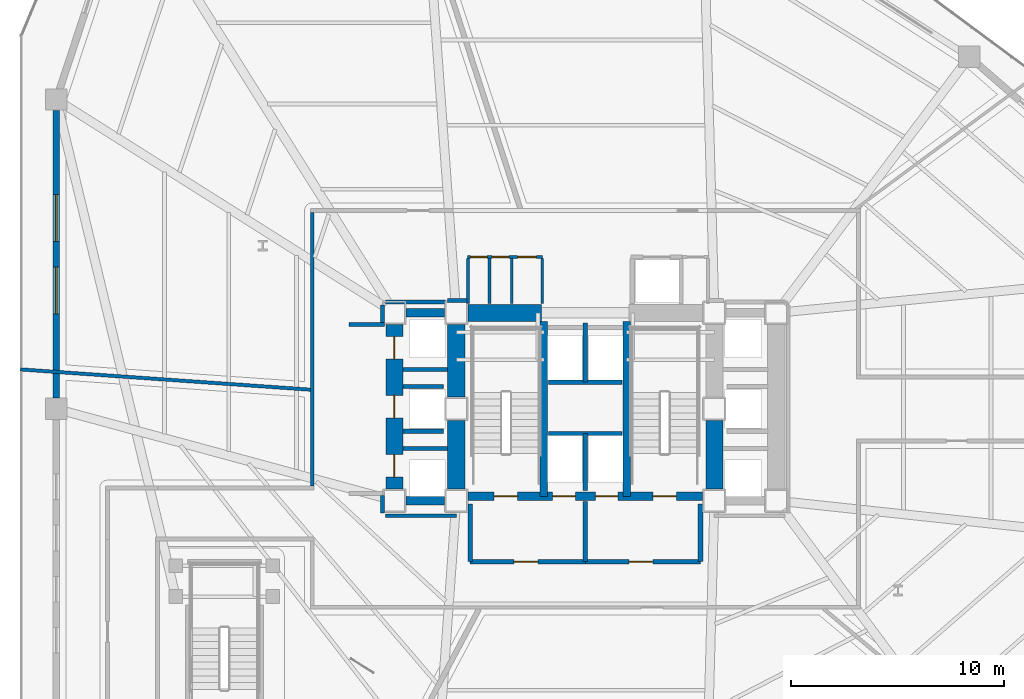
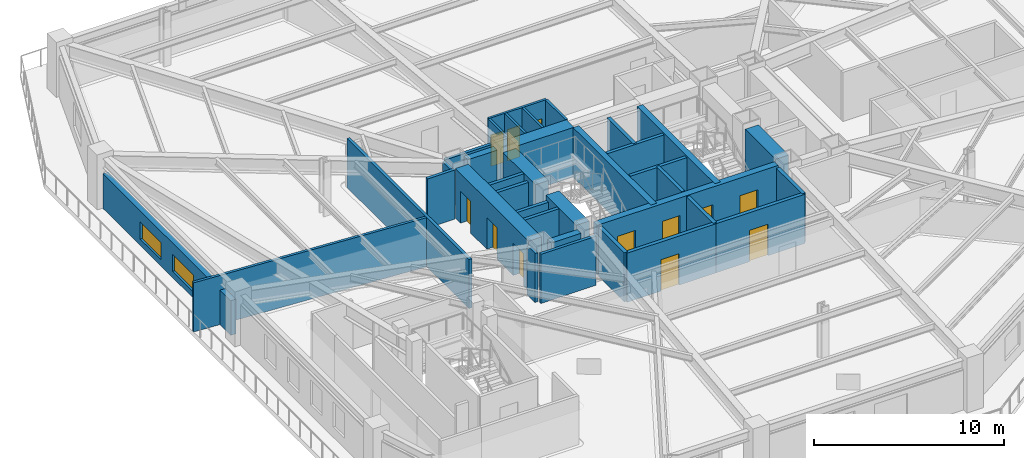
# One storey, part 6 of 12: 37 walls, 12 doors, 2 windows, 14 openings.
"""IFC4 building model written with IfcOpenShell, lengths in metres."""

import ifcopenshell
import ifcopenshell.guid

model = None  # the IFC model being written
_history = None  # IfcOwnerHistory: only IFC2X3 demands one
_inside = {}  # id of a spatial element -> (the spatial element, [elements in it])
_under = {}  # id of a project, library or spatial element -> (it, [spatial elements below it])
_declared = {}  # id of a project -> (the project, [libraries it declares])
_typed = {}  # id of a type object -> (the type object, [elements of that type])
_made_of = {}  # id of a material, layer set ... -> (it, [elements and type objects made of it])


def new_model(schema):
    """Start an empty IFC model of exactly this schema.

    Asked for "IFC4X3", IfcOpenShell would pick the latest addendum, in which some entities
    have other attributes; the version numbers below select the first issue.
    IFC2X3 requires an IfcOwnerHistory on every rooted entity: one is made here for all.
    """
    global model, _history
    if schema == "IFC4X3":
        model = ifcopenshell.file(schema_version=(4, 3, 0, 0))
    else:
        model = ifcopenshell.file(schema=schema)
    _inside.clear()
    _under.clear()
    _declared.clear()
    _typed.clear()
    _made_of.clear()
    _history = None
    if model.schema == "IFC2X3":
        org = make("IfcOrganization", Name="unknown")
        user = make(
            "IfcPersonAndOrganization",
            ThePerson=make("IfcPerson", FamilyName="unknown"),
            TheOrganization=org,
        )
        app = make(
            "IfcApplication",
            ApplicationDeveloper=org,
            Version="unknown",
            ApplicationFullName="unknown",
            ApplicationIdentifier="unknown",
        )
        _history = make(
            "IfcOwnerHistory",
            OwningUser=user,
            OwningApplication=app,
            ChangeAction="ADDED",
            CreationDate=0,
        )
    return model


def make(cls, **values):
    """One entity of the class cls with the attributes given. An attribute that is None is left unset."""
    return model.create_entity(
        cls, **{name: value for name, value in values.items() if value is not None}
    )


def rooted(cls, **values):
    """An entity with a GlobalId (a new one), such as an element, a storey or a relation."""
    return make(cls, GlobalId=ifcopenshell.guid.new(), OwnerHistory=_history, **values)


def si_unit(unit_type, name, prefix=None):
    """IfcSIUnit, for example si_unit("LENGTHUNIT", "METRE", prefix="MILLI")."""
    return make("IfcSIUnit", UnitType=unit_type, Prefix=prefix, Name=name)


def assignment(units):
    """IfcUnitAssignment: the units of a project."""
    return None if units is None else make("IfcUnitAssignment", Units=units)


def point(xyz):
    """IfcCartesianPoint."""
    return None if xyz is None else make("IfcCartesianPoint", Coordinates=xyz)


def direction(xyz):
    """IfcDirection."""
    return None if xyz is None else make("IfcDirection", DirectionRatios=xyz)


def frame(location, z_axis=None, x_axis=None):
    """IfcAxis2Placement3D, a coordinate frame: its origin and axes. An axis left out is left unset."""
    return make(
        "IfcAxis2Placement3D",
        Location=point(location),
        Axis=direction(z_axis),
        RefDirection=direction(x_axis),
    )


def frame_2d(location, x_axis=None):
    """IfcAxis2Placement2D, a coordinate frame in the plane: its origin and x axis."""
    return make(
        "IfcAxis2Placement2D", Location=point(location), RefDirection=direction(x_axis)
    )


def origin():
    """The frame at (0, 0, 0) with its axes left unset."""
    return frame((0.0, 0.0, 0.0))


def place(relative_to, where):
    """IfcLocalPlacement: puts the frame where relative to a parent placement (None: the world)."""
    return make(
        "IfcLocalPlacement", PlacementRelTo=relative_to, RelativePlacement=where
    )


def context(
    kind, dimensions, precision=None, world=None, true_north=None, identifier=None
):
    """IfcGeometricRepresentationContext, for example the 3D "Model" context."""
    return make(
        "IfcGeometricRepresentationContext",
        ContextIdentifier=identifier,
        ContextType=kind,
        CoordinateSpaceDimension=dimensions,
        Precision=precision,
        WorldCoordinateSystem=world,
        TrueNorth=true_north,
    )


def subcontext(parent, identifier, kind, view, scale=None):
    """IfcGeometricRepresentationSubContext, for example "Body" below "Model"."""
    return make(
        "IfcGeometricRepresentationSubContext",
        ContextIdentifier=identifier,
        ContextType=kind,
        ParentContext=parent,
        TargetScale=scale,
        TargetView=view,
    )


def project(units=None, contexts=None):
    """IfcProject with its units and contexts."""
    return rooted(
        "IfcProject",
        Name="project",
        RepresentationContexts=contexts,
        UnitsInContext=assignment(units),
    )


def spatial(cls, under=None, at=None, **own):
    """A site, building, storey or space (cls), placed at a placement, below another one or the project."""
    s = rooted(cls, ObjectPlacement=at, **own)
    if under is not None:
        _under.setdefault(under.id(), (under, []))[1].append(s)
    return s


def profile(cls, at=None, kind="AREA", **sizes):
    """A parametric profile (cls). Its sizes go by their IFC names, for example OverallWidth=200.0."""
    return make(cls, ProfileType=kind, Position=at, **sizes)


def rectangle(**sizes):
    """IfcRectangleProfileDef."""
    return profile("IfcRectangleProfileDef", **sizes)


def extrude(swept, where, along, depth):
    """IfcExtrudedAreaSolid: the profile swept, set in the frame where, extruded along a direction by depth."""
    return make(
        "IfcExtrudedAreaSolid",
        SweptArea=swept,
        Position=where,
        ExtrudedDirection=direction(along),
        Depth=depth,
    )


def shape(context_of_items, identifier, shape_type, items):
    """IfcShapeRepresentation: the items that make up one representation, for example the "Body"."""
    return make(
        "IfcShapeRepresentation",
        ContextOfItems=context_of_items,
        RepresentationIdentifier=identifier,
        RepresentationType=shape_type,
        Items=items,
    )


def material(Name=None, Category=None):
    """IfcMaterial."""
    return make("IfcMaterial", Name=Name, Category=Category)


def layer(
    of_material, thickness, ventilated=None, Name=None, Category=None, Priority=None
):
    """IfcMaterialLayer: one layer of a wall or slab, of a material (None: an air gap)."""
    return make(
        "IfcMaterialLayer",
        Material=of_material,
        LayerThickness=thickness,
        IsVentilated=ventilated,
        Name=Name,
        Category=Category,
        Priority=Priority,
    )


def layer_set(layers, Name=None):
    """IfcMaterialLayerSet."""
    return make("IfcMaterialLayerSet", MaterialLayers=layers, LayerSetName=Name)


def made_of(thing, what):
    """Note that an element or type object is made of a material, layer set ...; save() writes the relation."""
    if what is not None:
        _made_of.setdefault(what.id(), (what, []))[1].append(thing)
    return thing


def type_object(cls, material=None, **own):
    """A type object (cls), such as IfcWallType, which elements share."""
    return made_of(rooted(cls, **own), material)


def element(
    cls,
    number,
    at=None,
    inside=None,
    cuts=None,
    type_object=None,
    material=None,
    context=None,
    identifier="Body",
    shape_type=None,
    held_by="IfcProductDefinitionShape",
    body=None,
    shapes=None,
    **own,
):
    """One element of the class cls, such as IfcWall. Its Tag is "e" and its number.

    at: its placement. inside: the storey or other place that contains it. cuts: it is an
    opening in that element (IfcRelVoidsElement). A single representation is given by context,
    identifier, shape_type and body (its items); several are given by shapes. held_by: the class
    of the entity that holds the representations. save() writes the other relations.
    """
    e = rooted(cls, Tag="e%d" % number, ObjectPlacement=at, **own)
    if body is not None:
        shapes = [shape(context, identifier, shape_type, body)]
    if shapes is not None:
        e.Representation = make(held_by, Representations=shapes)
    if inside is not None:
        _inside.setdefault(inside.id(), (inside, []))[1].append(e)
    if cuts is not None:
        rooted(
            "IfcRelVoidsElement", RelatingBuildingElement=cuts, RelatedOpeningElement=e
        )
    if type_object is not None:
        _typed.setdefault(type_object.id(), (type_object, []))[1].append(e)
    return made_of(e, material)


def fill(opening, filler):
    """IfcRelFillsElement: the door or window that sits in an opening."""
    return rooted(
        "IfcRelFillsElement",
        RelatingOpeningElement=opening,
        RelatedBuildingElement=filler,
    )


def aggregate(whole, parts):
    """IfcRelAggregates: a whole, such as a stair, and the parts it consists of."""
    return rooted("IfcRelAggregates", RelatingObject=whole, RelatedObjects=parts)


def save(model, path):
    """Write the relations noted so far, then the file.

    IfcRelAggregates (storeys below a building ...), IfcRelContainedInSpatialStructure (elements
    in a storey), IfcRelDefinesByType, IfcRelAssociatesMaterial and IfcRelDeclares: one each for
    every whole, place, type object, material and project.
    """
    for whole, parts in _under.values():
        aggregate(whole, parts)
    for where, things in _inside.values():
        rooted(
            "IfcRelContainedInSpatialStructure",
            RelatedElements=things,
            RelatingStructure=where,
        )
    for kind, things in _typed.values():
        rooted("IfcRelDefinesByType", RelatedObjects=things, RelatingType=kind)
    for what, things in _made_of.values():
        rooted("IfcRelAssociatesMaterial", RelatedObjects=things, RelatingMaterial=what)
    for by, libraries in _declared.values():
        rooted("IfcRelDeclares", RelatingContext=by, RelatedDefinitions=libraries)
    model.write(path)


model = new_model("IFC4")

# Units and contexts
model_context = context("Model", 3, precision=1e-05, world=origin(), true_north=direction((0.0, 1.0)))
body_context = subcontext(model_context, "Body", "Model", "MODEL_VIEW")
ifc_project = project(units=[si_unit("LENGTHUNIT", "METRE"), si_unit("AREAUNIT", "SQUARE_METRE"), si_unit("VOLUMEUNIT", "CUBIC_METRE"), si_unit("PLANEANGLEUNIT", "RADIAN"), si_unit("MASSUNIT", "GRAM", prefix="KILO")], contexts=[model_context])

# Site, building, storey
site_placement = place(None, origin())
site = spatial("IfcSite", under=ifc_project, at=site_placement, CompositionType="ELEMENT")
building_placement = place(site_placement, origin())
building = spatial("IfcBuilding", under=site, at=building_placement, Name="Rocaltana Carrier Exchange", CompositionType="ELEMENT")
storey_placement = place(building_placement, frame((0.0, 0.0, 11.840087890625)))
storey = spatial("IfcBuildingStorey", under=building, at=storey_placement, Name="L04", CompositionType="ELEMENT", Elevation=11.840087890625)

# Walls
ifc_material_1 = material(Name="Double Acoustic Gypsum Partition", Category="gypsum")
ifc_layer_1 = layer(ifc_material_1, 0.159912109375)
ifc_layer_set_1 = layer_set([ifc_layer_1], Name="Double Acoustic Gypsum Partition")
wall_type_1 = type_object("IfcWallType", Name="Acoustic Studio Partition 160 EI60", PredefinedType="PARTITIONING", material=ifc_layer_set_1)
wall_1_placement = place(storey_placement, frame((-12.8798828125, 0.900634765625, 0.0), z_axis=(0.0, 0.0, 1.0), x_axis=(-0.99756431173, 0.069752734445, 0.0)))
element("IfcWall", 1, at=wall_1_placement, inside=storey, type_object=wall_type_1, Name="L04 Suite Divider Wall D5", PredefinedType="PARTITIONING", context=body_context, shape_type="SweptSolid", body=[
    extrude(rectangle(XDim=13.643310546875, YDim=0.159912109375, at=frame_2d((6.82177734375, 0.0))), origin(), (0.0, 0.0, 1.0), 3.15283203125),
])
ifc_material_2 = material(Name="Concrete C50/60", Category="concrete")
ifc_layer_2 = layer(ifc_material_2, 0.35009765625)
ifc_layer_set_2 = layer_set([ifc_layer_2], Name="Concrete C50/60")
wall_type_2 = type_object("IfcWallType", Name="Core Internal Shear Wall 350", PredefinedType="SHEAR", material=ifc_layer_set_2)
for number, where, z_axis, x_axis, name in (
    (2, (-1.93994140625, -4.10009765625, 0.0), (0.0, 0.0, 1.0), (0.0, 1.0, 0.0), "L04 Core Shear Wall CW-STW"),
    (3, (1.93994140625, -4.10009765625, 0.0), (0.0, 0.0, 1.0), (0.0, 1.0, 0.0), "L04 Core Shear Wall CW-STE"),
):
    element("IfcWall", number, at=place(storey_placement, frame(where, z_axis=z_axis, x_axis=x_axis)), inside=storey, type_object=wall_type_2, Name=name, PredefinedType="SHEAR", context=body_context, shape_type="SweptSolid", body=[
        extrude(rectangle(XDim=8.2001953125, YDim=0.35009765625, at=frame_2d((4.10009765625, 0.0))), origin(), (0.0, 0.0, 1.0), 3.177978515625),
    ])

# Wall, openings, doors
ifc_material_3 = material(Name="Concrete C50/60", Category="concrete")
ifc_layer_3 = layer(ifc_material_3, 0.39990234375)
ifc_layer_set_3 = layer_set([ifc_layer_3], Name="Concrete C50/60")
wall_type_3 = type_object("IfcWallType", Name="Core Internal Shear Wall 400", PredefinedType="SHEAR", material=ifc_layer_set_3)
wall_2_placement = place(storey_placement, frame((-5.5, -4.10009765625, 0.0), z_axis=(0.0, 0.0, 1.0), x_axis=(1.0, 0.0, 0.0)))
wall_2 = element("IfcWall", 4, at=wall_2_placement, inside=storey, type_object=wall_type_3, Name="L04 Core Shear Wall CW-S", PredefinedType="SHEAR", context=body_context, shape_type="SweptSolid", body=[
    extrude(rectangle(XDim=11.0, YDim=0.39990234375, at=frame_2d((5.5, 0.0))), origin(), (0.0, 0.0, 1.0), 3.177978515625),
])
opening_1_placement = place(wall_2_placement, frame((1.22998046875, 0.0, 0.0)))
opening_1 = element("IfcOpeningElement", 5, at=opening_1_placement, cuts=wall_2, Name="Opening D-ST110", PredefinedType="OPENING", context=body_context, shape_type="SweptSolid", body=[
    extrude(rectangle(XDim=1.10009765625, YDim=2.0400390625, at=frame_2d((0.550048828125, 1.02001953125))), frame((0.0, 0.2099609375, 0.0), z_axis=(0.0, -1.0, 0.0), x_axis=(1.0, 0.0, 0.0)), (0.0, 0.0, 1.0), 0.419921875),
])
opening_2_placement = place(wall_2_placement, frame((8.669921875, 0.0, 0.0)))
opening_2 = element("IfcOpeningElement", 6, at=opening_2_placement, cuts=wall_2, Name="Opening D-ST110", PredefinedType="OPENING", context=body_context, shape_type="SweptSolid", body=[
    extrude(rectangle(XDim=1.10009765625, YDim=2.0400390625, at=frame_2d((0.550048828125, 1.02001953125))), frame((0.0, 0.2099609375, 0.0), z_axis=(0.0, -1.0, 0.0), x_axis=(1.0, 0.0, 0.0)), (0.0, 0.0, 1.0), 0.419921875),
])
opening_3_placement = place(wall_2_placement, frame((3.969970703125, 0.0, 0.0)))
opening_3 = element("IfcOpeningElement", 7, at=opening_3_placement, cuts=wall_2, Name="Opening LD-110", PredefinedType="OPENING", context=body_context, shape_type="SweptSolid", body=[
    extrude(rectangle(XDim=1.06005859375, YDim=2.0400390625, at=frame_2d((0.530029296875, 1.02001953125))), frame((0.0, 0.2099609375, 0.0), z_axis=(0.0, -1.0, 0.0), x_axis=(1.0, 0.0, 0.0)), (0.0, 0.0, 1.0), 0.419921875),
])
opening_4_placement = place(wall_2_placement, frame((5.969970703125, 0.0, 0.0)))
opening_4 = element("IfcOpeningElement", 8, at=opening_4_placement, cuts=wall_2, Name="Opening LD-110", PredefinedType="OPENING", context=body_context, shape_type="SweptSolid", body=[
    extrude(rectangle(XDim=1.06005859375, YDim=2.0400390625, at=frame_2d((0.530029296875, 1.02001953125))), frame((0.0, 0.2099609375, 0.0), z_axis=(0.0, -1.0, 0.0), x_axis=(1.0, 0.0, 0.0)), (0.0, 0.0, 1.0), 0.419921875),
])
ifc_material_4 = material(Name="Hollow Metal Fire Door Assembly", Category="steel")
door_type_1 = type_object("IfcDoorType", Name="Exit Stair Fire Door 1100x2040 FD90S", OperationType="NOTDEFINED", PredefinedType="DOOR", material=ifc_material_4)
door_1_placement = place(opening_1_placement, origin())
door_1 = element("IfcDoor", 9, at=door_1_placement, inside=storey, type_object=door_type_1, Name="L04 Exit Stair ST1 Fire Door", OperationType="SINGLE_SWING_RIGHT", OverallHeight=2.0400390625, OverallWidth=1.10009765625, PredefinedType="DOOR", context=body_context, shape_type="SweptSolid", body=[
    extrude(rectangle(XDim=1.10009765625, YDim=2.0400390625, at=frame_2d((0.550048828125, 1.02001953125))), frame((0.0, 0.02490234375, 0.0), z_axis=(0.0, -1.0, 0.0), x_axis=(1.0, 0.0, 0.0)), (0.0, 0.0, 1.0), 0.050048828125),
])
fill(opening_1, door_1)
door_2_placement = place(opening_2_placement, origin())
door_2 = element("IfcDoor", 10, at=door_2_placement, inside=storey, type_object=door_type_1, Name="L04 Exit Stair ST2 Fire Door", OperationType="SINGLE_SWING_LEFT", OverallHeight=2.0400390625, OverallWidth=1.10009765625, PredefinedType="DOOR", context=body_context, shape_type="SweptSolid", body=[
    extrude(rectangle(XDim=1.10009765625, YDim=2.0400390625, at=frame_2d((0.550048828125, 1.02001953125))), frame((0.0, 0.02490234375, 0.0), z_axis=(0.0, -1.0, 0.0), x_axis=(1.0, 0.0, 0.0)), (0.0, 0.0, 1.0), 0.050048828125),
])
fill(opening_2, door_2)
ifc_material_5 = material(Name="Brushed Stainless Sliding Door Leaf", Category="steel")
door_type_2 = type_object("IfcDoorType", Name="Lift Landing Sliding Door 1060x2040", OperationType="NOTDEFINED", PredefinedType="DOOR", material=ifc_material_5)
door_3_placement = place(opening_3_placement, origin())
door_3 = element("IfcDoor", 11, at=door_3_placement, inside=storey, type_object=door_type_2, Name="L04 Firefighting Lift FFL1 Landing Door", OperationType="SLIDING_TO_LEFT", OverallHeight=2.0400390625, OverallWidth=1.06005859375, PredefinedType="DOOR", context=body_context, shape_type="SweptSolid", body=[
    extrude(rectangle(XDim=1.06005859375, YDim=2.0400390625, at=frame_2d((0.530029296875, 1.02001953125))), frame((0.0, 0.02490234375, 0.0), z_axis=(0.0, -1.0, 0.0), x_axis=(1.0, 0.0, 0.0)), (0.0, 0.0, 1.0), 0.050048828125),
])
fill(opening_3, door_3)
door_4_placement = place(opening_4_placement, origin())
door_4 = element("IfcDoor", 12, at=door_4_placement, inside=storey, type_object=door_type_2, Name="L04 Firefighting Lift FFL2 Landing Door", OperationType="SLIDING_TO_RIGHT", OverallHeight=2.0400390625, OverallWidth=1.06005859375, PredefinedType="DOOR", context=body_context, shape_type="SweptSolid", body=[
    extrude(rectangle(XDim=1.06005859375, YDim=2.0400390625, at=frame_2d((0.530029296875, 1.02001953125))), frame((0.0, 0.02490234375, 0.0), z_axis=(0.0, -1.0, 0.0), x_axis=(1.0, 0.0, 0.0)), (0.0, 0.0, 1.0), 0.050048828125),
])
fill(opening_4, door_4)

# Walls
for number, where, z_axis, x_axis, name in (
    (13, (-8.39990234375, 4.5, 0.0), (0.0, 0.0, 1.0), (1.0, 0.0, 0.0), "L04 Core Shear Wall CW-WWN"),
    (14, (-8.39990234375, -4.300048828125, 0.0), (0.0, 0.0, 1.0), (1.0, 0.0, 0.0), "L04 Core Shear Wall CW-WWS"),
):
    element("IfcWall", number, at=place(storey_placement, frame(where, z_axis=z_axis, x_axis=x_axis)), inside=storey, type_object=wall_type_3, Name=name, PredefinedType="SHEAR", context=body_context, shape_type="SweptSolid", body=[
        extrude(rectangle(XDim=1.7998046875, YDim=0.39990234375, at=frame_2d((0.89990234375, 0.0))), origin(), (0.0, 0.0, 1.0), 3.177978515625),
    ])
ifc_material_6 = material(Name="Concrete C60/75", Category="concrete")
ifc_layer_4 = layer(ifc_material_6, 0.800048828125)
ifc_layer_set_4 = layer_set([ifc_layer_4], Name="Concrete C60/75")
wall_type_4 = type_object("IfcWallType", Name="Core Shear Wall 800", PredefinedType="SHEAR", material=ifc_layer_set_4)
wall_3_placement = place(storey_placement, frame((-6.050048828125, 0.550048828125, 0.0), z_axis=(0.0, 0.0, 1.0), x_axis=(0.0, 1.0, 0.0)))
element("IfcWall", 15, at=wall_3_placement, inside=storey, type_object=wall_type_4, Name="L04 Core Shear Wall CW-WN", PredefinedType="SHEAR", context=body_context, shape_type="SweptSolid", body=[
    extrude(rectangle(XDim=3.39990234375, YDim=0.800048828125, at=frame_2d((1.699951171875, 0.0))), origin(), (0.0, 0.0, 1.0), 3.177978515625),
])
for number, where, z_axis, x_axis, name in (
    (16, (-6.050048828125, -3.75, 0.0), (0.0, 0.0, 1.0), (0.0, 1.0, 0.0), "L04 Core Shear Wall CW-WS"),
    (17, (6.050048828125, -3.75, 0.0), (0.0, 0.0, 1.0), (0.0, 1.0, 0.0), "L04 Core Shear Wall CW-ES"),
):
    element("IfcWall", number, at=place(storey_placement, frame(where, z_axis=z_axis, x_axis=x_axis)), inside=storey, type_object=wall_type_4, Name=name, PredefinedType="SHEAR", context=body_context, shape_type="SweptSolid", body=[
        extrude(rectangle(XDim=3.199951171875, YDim=0.800048828125, at=frame_2d((1.60009765625, 0.0))), origin(), (0.0, 0.0, 1.0), 3.177978515625),
    ])
wall_4_placement = place(storey_placement, frame((-5.5, 4.5, 0.0), z_axis=(0.0, 0.0, 1.0), x_axis=(1.0, 0.0, 0.0)))
element("IfcWall", 18, at=wall_4_placement, inside=storey, type_object=wall_type_4, Name="L04 Core Shear Wall CW-N1", PredefinedType="SHEAR", context=body_context, shape_type="SweptSolid", body=[
    extrude(rectangle(XDim=3.449951171875, YDim=0.800048828125, at=frame_2d((1.72509765625, 0.0))), origin(), (0.0, 0.0, 1.0), 3.177978515625),
])

# Wall, openings, doors
wall_5_placement = place(storey_placement, frame((-8.949951171875, -3.75, 0.0), z_axis=(0.0, 0.0, 1.0), x_axis=(0.0, 1.0, 0.0)))
wall_5 = element("IfcWall", 19, at=wall_5_placement, inside=storey, type_object=wall_type_4, Name="L04 Core Shear Wall CW-WW", PredefinedType="SHEAR", context=body_context, shape_type="SweptSolid", body=[
    extrude(rectangle(XDim=7.699951171875, YDim=0.800048828125, at=frame_2d((3.85009765625, 0.0))), origin(), (0.0, 0.0, 1.0), 3.177978515625),
])
opening_5_placement = place(wall_5_placement, frame((0.550048828125, 0.0, 0.0)))
opening_5 = element("IfcOpeningElement", 20, at=opening_5_placement, cuts=wall_5, Name="Opening LD-110", PredefinedType="OPENING", context=body_context, shape_type="SweptSolid", body=[
    extrude(rectangle(XDim=1.06005859375, YDim=2.0400390625, at=frame_2d((0.530029296875, 1.02001953125))), frame((0.0, 0.409912109375, 0.0), z_axis=(0.0, -1.0, 0.0), x_axis=(1.0, 0.0, 0.0)), (0.0, 0.0, 1.0), 0.820068359375),
])
opening_6_placement = place(wall_5_placement, frame((3.320068359375, 0.0, 0.0)))
opening_6 = element("IfcOpeningElement", 21, at=opening_6_placement, cuts=wall_5, Name="Opening LD-110", PredefinedType="OPENING", context=body_context, shape_type="SweptSolid", body=[
    extrude(rectangle(XDim=1.06005859375, YDim=2.0400390625, at=frame_2d((0.530029296875, 1.02001953125))), frame((0.0, 0.409912109375, 0.0), z_axis=(0.0, -1.0, 0.0), x_axis=(1.0, 0.0, 0.0)), (0.0, 0.0, 1.0), 0.820068359375),
])
opening_7_placement = place(wall_5_placement, frame((6.080078125, 0.0, 0.0)))
opening_7 = element("IfcOpeningElement", 22, at=opening_7_placement, cuts=wall_5, Name="Opening LD-110", PredefinedType="OPENING", context=body_context, shape_type="SweptSolid", body=[
    extrude(rectangle(XDim=1.06005859375, YDim=2.0400390625, at=frame_2d((0.530029296875, 1.02001953125))), frame((0.0, 0.409912109375, 0.0), z_axis=(0.0, -1.0, 0.0), x_axis=(1.0, 0.0, 0.0)), (0.0, 0.0, 1.0), 0.820068359375),
])
door_5_placement = place(opening_5_placement, origin())
door_5 = element("IfcDoor", 23, at=door_5_placement, inside=storey, type_object=door_type_2, Name="L04 Low-Rise Lift PL-L1 Landing Door", OperationType="SLIDING_TO_LEFT", OverallHeight=2.0400390625, OverallWidth=1.06005859375, PredefinedType="DOOR", context=body_context, shape_type="SweptSolid", body=[
    extrude(rectangle(XDim=1.06005859375, YDim=2.0400390625, at=frame_2d((0.530029296875, 1.02001953125))), frame((0.0, 0.02490234375, 0.0), z_axis=(0.0, -1.0, 0.0), x_axis=(1.0, 0.0, 0.0)), (0.0, 0.0, 1.0), 0.050048828125),
])
fill(opening_5, door_5)
door_6_placement = place(opening_6_placement, origin())
door_6 = element("IfcDoor", 24, at=door_6_placement, inside=storey, type_object=door_type_2, Name="L04 Low-Rise Lift PL-L2 Landing Door", OperationType="SLIDING_TO_RIGHT", OverallHeight=2.0400390625, OverallWidth=1.06005859375, PredefinedType="DOOR", context=body_context, shape_type="SweptSolid", body=[
    extrude(rectangle(XDim=1.06005859375, YDim=2.0400390625, at=frame_2d((0.530029296875, 1.02001953125))), frame((0.0, 0.02490234375, 0.0), z_axis=(0.0, -1.0, 0.0), x_axis=(1.0, 0.0, 0.0)), (0.0, 0.0, 1.0), 0.050048828125),
])
fill(opening_6, door_6)
door_7_placement = place(opening_7_placement, origin())
door_7 = element("IfcDoor", 25, at=door_7_placement, inside=storey, type_object=door_type_2, Name="L04 Low-Rise Lift PL-L3 Landing Door", OperationType="SLIDING_TO_LEFT", OverallHeight=2.0400390625, OverallWidth=1.06005859375, PredefinedType="DOOR", context=body_context, shape_type="SweptSolid", body=[
    extrude(rectangle(XDim=1.06005859375, YDim=2.0400390625, at=frame_2d((0.530029296875, 1.02001953125))), frame((0.0, 0.02490234375, 0.0), z_axis=(0.0, -1.0, 0.0), x_axis=(1.0, 0.0, 0.0)), (0.0, 0.0, 1.0), 0.050048828125),
])
fill(opening_7, door_7)

# Walls
ifc_material_7 = material(Name="Gypsum & Steel Stud Partition", Category="steel")
ifc_layer_5 = layer(ifc_material_7, 0.179931640625)
ifc_layer_set_5 = layer_set([ifc_layer_5], Name="Gypsum & Steel Stud Partition")
wall_type_5 = type_object("IfcWallType", Name="Corridor Fire Partition 180 EI60", PredefinedType="PARTITIONING", material=ifc_layer_set_5)
wall_6_placement = place(storey_placement, frame((-12.800048828125, -3.610107421875, 0.0), z_axis=(0.0, 0.0, 1.0), x_axis=(0.0, 1.0, 0.0)))
element("IfcWall", 26, at=wall_6_placement, inside=storey, type_object=wall_type_5, Name="L04 Corridor Partition 7", PredefinedType="PARTITIONING", context=body_context, shape_type="SweptSolid", body=[
    extrude(rectangle(XDim=12.820068359375, YDim=0.179931640625, at=frame_2d((6.41015625, 0.0))), origin(), (0.0, 0.0, 1.0), 3.15283203125),
])
wall_7_placement = place(storey_placement, frame((-9.510009765625, -4.050048828125, 0.0), z_axis=(0.0, 0.0, 1.0), x_axis=(0.0, -1.0, 0.0)))
element("IfcWall", 27, at=wall_7_placement, inside=storey, type_object=wall_type_5, Name="L04 Corridor Partition 22", PredefinedType="PARTITIONING", context=body_context, shape_type="SweptSolid", body=[
    extrude(rectangle(XDim=0.820068359375, YDim=0.179931640625, at=frame_2d((0.41015625, 0.0))), origin(), (0.0, 0.0, 1.0), 3.15283203125),
])
wall_8_placement = place(storey_placement, frame((-9.3701171875, -5.010009765625, 0.0), z_axis=(0.0, 0.0, 1.0), x_axis=(1.0, 0.0, 0.0)))
element("IfcWall", 28, at=wall_8_placement, inside=storey, type_object=wall_type_5, Name="L04 Corridor Partition 23", PredefinedType="PARTITIONING", context=body_context, shape_type="SweptSolid", body=[
    extrude(rectangle(XDim=3.340087890625, YDim=0.179931640625, at=frame_2d((1.669921875, 0.0))), origin(), (0.0, 0.0, 1.0), 3.15283203125),
])
wall_9_placement = place(storey_placement, frame((-5.550048828125, 5.080078125, 0.0), z_axis=(0.0, 0.0, 1.0), x_axis=(-1.0, 0.0, 0.0)))
element("IfcWall", 29, at=wall_9_placement, inside=storey, type_object=wall_type_5, Name="L04 Corridor Partition 32", PredefinedType="PARTITIONING", context=body_context, shape_type="SweptSolid", body=[
    extrude(rectangle(XDim=0.919921875, YDim=0.179931640625, at=frame_2d((0.4599609375, 0.0))), origin(), (0.0, 0.0, 1.0), 3.15283203125),
])
wall_10_placement = place(storey_placement, frame((-6.562255859375, 5.010009765625, 0.0), z_axis=(0.0, 0.0, 1.0), x_axis=(-1.0, 0.0, 0.0)))
element("IfcWall", 30, at=wall_10_placement, inside=storey, type_object=wall_type_5, Name="L04 Corridor Partition 33", PredefinedType="PARTITIONING", context=body_context, shape_type="SweptSolid", body=[
    extrude(rectangle(XDim=2.807861328125, YDim=0.179931640625, at=frame_2d((1.40380859375, 0.0))), origin(), (0.0, 0.0, 1.0), 3.15283203125),
])
wall_11_placement = place(storey_placement, frame((-9.510009765625, 4.8701171875, 0.0), z_axis=(0.0, 0.0, 1.0), x_axis=(0.0, -1.0, 0.0)))
element("IfcWall", 31, at=wall_11_placement, inside=storey, type_object=wall_type_5, Name="L04 Corridor Partition 34", PredefinedType="PARTITIONING", context=body_context, shape_type="SweptSolid", body=[
    extrude(rectangle(XDim=0.820068359375, YDim=0.179931640625, at=frame_2d((0.41015625, 0.0))), origin(), (0.0, 0.0, 1.0), 3.15283203125),
])
wall_12_placement = place(storey_placement, frame((-9.419921875, 3.9599609375, 0.0), z_axis=(0.0, 0.0, 1.0), x_axis=(-1.0, 0.0, 0.0)))
element("IfcWall", 32, at=wall_12_placement, inside=storey, type_object=wall_type_5, Name="L04 Corridor Partition 35", PredefinedType="PARTITIONING", context=body_context, shape_type="SweptSolid", body=[
    extrude(rectangle(XDim=1.650146484375, YDim=0.179931640625, at=frame_2d((0.8251953125, 0.0))), origin(), (0.0, 0.0, 1.0), 3.15283203125),
])
ifc_material_8 = material(Name="Autoclaved Aerated Concrete C30/37", Category="concrete")
ifc_layer_6 = layer(ifc_material_8, 0.219970703125)
ifc_layer_set_6 = layer_set([ifc_layer_6], Name="Autoclaved Aerated Concrete C30/37")
wall_type_6 = type_object("IfcWallType", Name="Firefighting Lobby Wall 220 EI120", PredefinedType="PARTITIONING", material=ifc_layer_set_6)
for number, where, z_axis, x_axis, name in (
    (33, (-5.39990234375, -7.159912109375, 0.0), (0.0, 0.0, 1.0), (0.0, 1.0, 0.0), "L04 FFL Lobby 1 West Wall"),
    (34, (5.39990234375, -7.159912109375, 0.0), (0.0, 0.0, 1.0), (0.0, 1.0, 0.0), "L04 FFL Lobby 2 East Wall"),
):
    element("IfcWall", number, at=place(storey_placement, frame(where, z_axis=z_axis, x_axis=x_axis)), inside=storey, type_object=wall_type_6, Name=name, PredefinedType="PARTITIONING", context=body_context, shape_type="SweptSolid", body=[
        extrude(rectangle(XDim=2.7099609375, YDim=0.219970703125, at=frame_2d((1.35498046875, 0.0))), origin(), (0.0, 0.0, 1.0), 3.15283203125),
    ])
wall_13_placement = place(storey_placement, frame((0.0, -7.159912109375, 0.0), z_axis=(0.0, 0.0, 1.0), x_axis=(0.0, 1.0, 0.0)))
element("IfcWall", 35, at=wall_13_placement, inside=storey, type_object=wall_type_6, Name="L04 FFL Lobby Centre Wall", PredefinedType="PARTITIONING", context=body_context, shape_type="SweptSolid", body=[
    extrude(rectangle(XDim=2.809814453125, YDim=0.219970703125, at=frame_2d((1.40478515625, 0.0))), origin(), (0.0, 0.0, 1.0), 3.15283203125),
])

# Wall, opening, door
wall_14_placement = place(storey_placement, frame((-5.39990234375, -7.159912109375, 0.0), z_axis=(0.0, 0.0, 1.0), x_axis=(1.0, 0.0, 0.0)))
wall_14 = element("IfcWall", 36, at=wall_14_placement, inside=storey, type_object=wall_type_6, Name="L04 FFL Lobby 1 South Wall", PredefinedType="PARTITIONING", context=body_context, shape_type="SweptSolid", body=[
    extrude(rectangle(XDim=5.39990234375, YDim=0.219970703125, at=frame_2d((2.699951171875, 0.0))), origin(), (0.0, 0.0, 1.0), 3.15283203125),
])
opening_8_placement = place(wall_14_placement, frame((2.050048828125, 0.0, 0.0)))
opening_8 = element("IfcOpeningElement", 37, at=opening_8_placement, cuts=wall_14, Name="Opening D-FF115", PredefinedType="OPENING", context=body_context, shape_type="SweptSolid", body=[
    extrude(rectangle(XDim=1.1201171875, YDim=2.02001953125, at=frame_2d((0.56005859375, 1.010009765625))), frame((0.0, 0.119873046875, 0.0), z_axis=(0.0, -1.0, 0.0), x_axis=(1.0, 0.0, 0.0)), (0.0, 0.0, 1.0), 0.239990234375),
])
ifc_material_9 = material(Name="Hollow Metal Fire Door Assembly", Category="steel")
door_type_3 = type_object("IfcDoorType", Name="Firefighting Lobby Door 1120x2020 FD60S", OperationType="NOTDEFINED", PredefinedType="DOOR", material=ifc_material_9)
door_8_placement = place(opening_8_placement, origin())
door_8 = element("IfcDoor", 38, at=door_8_placement, inside=storey, type_object=door_type_3, Name="L04 Firefighting Lift Lobby 1 Door", OperationType="SINGLE_SWING_RIGHT", OverallHeight=2.02001953125, OverallWidth=1.1201171875, PredefinedType="DOOR", context=body_context, shape_type="SweptSolid", body=[
    extrude(rectangle(XDim=1.1201171875, YDim=2.02001953125, at=frame_2d((0.56005859375, 1.010009765625))), frame((0.0, 0.02490234375, 0.0), z_axis=(0.0, -1.0, 0.0), x_axis=(1.0, 0.0, 0.0)), (0.0, 0.0, 1.0), 0.050048828125),
])
fill(opening_8, door_8)

wall_15_placement = place(storey_placement, frame((0.0, -7.159912109375, 0.0), z_axis=(0.0, 0.0, 1.0), x_axis=(1.0, 0.0, 0.0)))
wall_15 = element("IfcWall", 39, at=wall_15_placement, inside=storey, type_object=wall_type_6, Name="L04 FFL Lobby 2 South Wall", PredefinedType="PARTITIONING", context=body_context, shape_type="SweptSolid", body=[
    extrude(rectangle(XDim=5.39990234375, YDim=0.219970703125, at=frame_2d((2.699951171875, 0.0))), origin(), (0.0, 0.0, 1.0), 3.15283203125),
])
opening_9_placement = place(wall_15_placement, frame((2.050048828125, 0.0, 0.0)))
opening_9 = element("IfcOpeningElement", 40, at=opening_9_placement, cuts=wall_15, Name="Opening D-FF115", PredefinedType="OPENING", context=body_context, shape_type="SweptSolid", body=[
    extrude(rectangle(XDim=1.1201171875, YDim=2.02001953125, at=frame_2d((0.56005859375, 1.010009765625))), frame((0.0, 0.119873046875, 0.0), z_axis=(0.0, -1.0, 0.0), x_axis=(1.0, 0.0, 0.0)), (0.0, 0.0, 1.0), 0.239990234375),
])
door_9_placement = place(opening_9_placement, origin())
door_9 = element("IfcDoor", 41, at=door_9_placement, inside=storey, type_object=door_type_3, Name="L04 Firefighting Lift Lobby 2 Door", OperationType="SINGLE_SWING_LEFT", OverallHeight=2.02001953125, OverallWidth=1.1201171875, PredefinedType="DOOR", context=body_context, shape_type="SweptSolid", body=[
    extrude(rectangle(XDim=1.1201171875, YDim=2.02001953125, at=frame_2d((0.56005859375, 1.010009765625))), frame((0.0, 0.02490234375, 0.0), z_axis=(0.0, -1.0, 0.0), x_axis=(1.0, 0.0, 0.0)), (0.0, 0.0, 1.0), 0.050048828125),
])
fill(opening_9, door_9)

# Walls
ifc_material_10 = material(Name="Reinforced Concrete Block C35/45", Category="concrete")
ifc_layer_7 = layer(ifc_material_10, 0.199951171875)
ifc_layer_set_7 = layer_set([ifc_layer_7], Name="Reinforced Concrete Block C35/45")
wall_type_7 = type_object("IfcWallType", Name="Lift Hoistway Enclosure Wall 200 EI120", PredefinedType="PARTITIONING", material=ifc_layer_set_7)
wall_16_placement = place(storey_placement, frame((0.0, -3.820068359375, 0.0), z_axis=(0.0, 0.0, 1.0), x_axis=(0.0, 1.0, 0.0)))
element("IfcWall", 42, at=wall_16_placement, inside=storey, type_object=wall_type_7, Name="L04 FFL Shaft Divider", PredefinedType="PARTITIONING", context=body_context, shape_type="SweptSolid", body=[
    extrude(rectangle(XDim=2.670166015625, YDim=0.199951171875, at=frame_2d((1.3349609375, 0.0))), origin(), (0.0, 0.0, 1.0), 3.15283203125),
])
wall_17_placement = place(storey_placement, frame((-1.719970703125, -1.14990234375, 0.0), z_axis=(0.0, 0.0, 1.0), x_axis=(1.0, 0.0, 0.0)))
element("IfcWall", 43, at=wall_17_placement, inside=storey, type_object=wall_type_7, Name="L04 FFL Shaft Back Wall", PredefinedType="PARTITIONING", context=body_context, shape_type="SweptSolid", body=[
    extrude(rectangle(XDim=3.43994140625, YDim=0.199951171875, at=frame_2d((1.719970703125, 0.0))), origin(), (0.0, 0.0, 1.0), 3.15283203125),
])
wall_18_placement = place(storey_placement, frame((0.0, 1.25, 0.0), z_axis=(0.0, 0.0, 1.0), x_axis=(0.0, 1.0, 0.0)))
element("IfcWall", 44, at=wall_18_placement, inside=storey, type_object=wall_type_7, Name="L04 High-Rise Shaft Divider", PredefinedType="PARTITIONING", context=body_context, shape_type="SweptSolid", body=[
    extrude(rectangle(XDim=2.77001953125, YDim=0.199951171875, at=frame_2d((1.385009765625, 0.0))), origin(), (0.0, 0.0, 1.0), 3.15283203125),
])
wall_19_placement = place(storey_placement, frame((-1.719970703125, 1.25, 0.0), z_axis=(0.0, 0.0, 1.0), x_axis=(1.0, 0.0, 0.0)))
element("IfcWall", 45, at=wall_19_placement, inside=storey, type_object=wall_type_7, Name="L04 High-Rise Shaft Back Wall", PredefinedType="PARTITIONING", context=body_context, shape_type="SweptSolid", body=[
    extrude(rectangle(XDim=3.43994140625, YDim=0.199951171875, at=frame_2d((1.719970703125, 0.0))), origin(), (0.0, 0.0, 1.0), 3.15283203125),
])
for number, where, z_axis, x_axis, name in (
    (46, (-8.550048828125, -1.85009765625, 0.0), (0.0, 0.0, 1.0), (1.0, 0.0, 0.0), "L04 Low-Rise Shaft Divider 1"),
    (47, (-8.550048828125, 1.85009765625, 0.0), (0.0, 0.0, 1.0), (1.0, 0.0, 0.0), "L04 Low-Rise Shaft Divider 2"),
):
    element("IfcWall", number, at=place(storey_placement, frame(where, z_axis=z_axis, x_axis=x_axis)), inside=storey, type_object=wall_type_7, Name=name, PredefinedType="PARTITIONING", context=body_context, shape_type="SweptSolid", body=[
        extrude(rectangle(XDim=2.10009765625, YDim=0.199951171875, at=frame_2d((1.050048828125, 0.0))), origin(), (0.0, 0.0, 1.0), 3.15283203125),
    ])
for number, where, z_axis, x_axis, name in (
    (48, (-8.550048828125, -1.050048828125, 0.0), (0.0, 0.0, 1.0), (1.0, 0.0, 0.0), "L04 Low-Rise Center Shaft Wall South"),
    (49, (-8.550048828125, 1.050048828125, 0.0), (0.0, 0.0, 1.0), (1.0, 0.0, 0.0), "L04 Low-Rise Center Shaft Wall North"),
):
    element("IfcWall", number, at=place(storey_placement, frame(where, z_axis=z_axis, x_axis=x_axis)), inside=storey, type_object=wall_type_7, Name=name, PredefinedType="PARTITIONING", context=body_context, shape_type="SweptSolid", body=[
        extrude(rectangle(XDim=1.91015625, YDim=0.199951171875, at=frame_2d((0.955078125, 0.0))), origin(), (0.0, 0.0, 1.0), 3.15283203125),
    ])

# Wall, openings, windows
ifc_material_11 = material(Name="Precast sandstone concrete C45/55", Category="masonry")
ifc_layer_8 = layer(ifc_material_11, 0.320068359375)
ifc_layer_set_8 = layer_set([ifc_layer_8], Name="Precast sandstone concrete C45/55")
wall_type_8 = type_object("IfcWallType", Name="Precast Sandstone Facade Wall 320", PredefinedType="SOLIDWALL", material=ifc_layer_set_8)
wall_20_placement = place(storey_placement, frame((-24.800048828125, 0.52001953125, 0.0), z_axis=(0.0, 0.0, 1.0), x_axis=(0.0, 1.0, 0.0)))
wall_20 = element("IfcWall", 50, at=wall_20_placement, inside=storey, type_object=wall_type_8, Name="L04 Sandstone Facade Wall B11", PredefinedType="SOLIDWALL", context=body_context, shape_type="SweptSolid", body=[
    extrude(rectangle(XDim=13.4599609375, YDim=0.320068359375, at=frame_2d((6.72998046875, 0.0))), origin(), (0.0, 0.0, 1.0), 2.220947265625),
])
opening_10_placement = place(wall_20_placement, frame((3.929931640625, 0.0, 0.39990234375)))
opening_10 = element("IfcOpeningElement", 51, at=opening_10_placement, cuts=wall_20, Name="Opening W-04", PredefinedType="OPENING", context=body_context, shape_type="SweptSolid", body=[
    extrude(rectangle(XDim=2.199951171875, YDim=1.10009765625, at=frame_2d((1.10009765625, 0.550048828125))), frame((0.0, 0.169921875, 0.0), z_axis=(0.0, -1.0, 0.0), x_axis=(1.0, 0.0, 0.0)), (0.0, 0.0, 1.0), 0.340087890625),
])
opening_11_placement = place(wall_20_placement, frame((7.330078125, 0.0, 0.39990234375)))
opening_11 = element("IfcOpeningElement", 52, at=opening_11_placement, cuts=wall_20, Name="Opening W-04", PredefinedType="OPENING", context=body_context, shape_type="SweptSolid", body=[
    extrude(rectangle(XDim=2.199951171875, YDim=1.10009765625, at=frame_2d((1.10009765625, 0.550048828125))), frame((0.0, 0.169921875, 0.0), z_axis=(0.0, -1.0, 0.0), x_axis=(1.0, 0.0, 0.0)), (0.0, 0.0, 1.0), 0.340087890625),
])
ifc_material_12 = material(Name="Aluminium 6063-T6 & Double Glazing", Category="aluminium")
window_type = type_object("IfcWindowType", Name="Podium Clerestory Window 2200x1100", PartitioningType="SINGLE_PANEL", PredefinedType="WINDOW", material=ifc_material_12)
window_1_placement = place(opening_10_placement, origin())
window_1 = element("IfcWindow", 53, at=window_1_placement, inside=storey, type_object=window_type, Name="L04 Punched Window B11-1", OverallHeight=1.10009765625, OverallWidth=2.199951171875, PartitioningType="SINGLE_PANEL", PredefinedType="WINDOW", context=body_context, shape_type="SweptSolid", body=[
    extrude(rectangle(XDim=2.199951171875, YDim=1.10009765625, at=frame_2d((1.10009765625, 0.550048828125))), frame((0.0, 0.030029296875, 0.0), z_axis=(0.0, -1.0, 0.0), x_axis=(1.0, 0.0, 0.0)), (0.0, 0.0, 1.0), 0.06005859375),
])
fill(opening_10, window_1)
window_2_placement = place(opening_11_placement, origin())
window_2 = element("IfcWindow", 54, at=window_2_placement, inside=storey, type_object=window_type, Name="L04 Punched Window B11-2", OverallHeight=1.10009765625, OverallWidth=2.199951171875, PartitioningType="SINGLE_PANEL", PredefinedType="WINDOW", context=body_context, shape_type="SweptSolid", body=[
    extrude(rectangle(XDim=2.199951171875, YDim=1.10009765625, at=frame_2d((1.10009765625, 0.550048828125))), frame((0.0, 0.030029296875, 0.0), z_axis=(0.0, -1.0, 0.0), x_axis=(1.0, 0.0, 0.0)), (0.0, 0.0, 1.0), 0.06005859375),
])
fill(opening_11, window_2)

# Walls
ifc_material_13 = material(Name="Moisture-Resistant Masonry C30/37", Category="masonry")
ifc_layer_9 = layer(ifc_material_13, 0.139892578125)
ifc_layer_set_9 = layer_set([ifc_layer_9], Name="Moisture-Resistant Masonry C30/37")
wall_type_9 = type_object("IfcWallType", Name="Wet-Area Sanitary Partition 140", PredefinedType="PARTITIONING", material=ifc_layer_set_9)
for number, where, z_axis, x_axis, name in (
    (55, (-5.5, 4.949951171875, 0.0), (0.0, 0.0, 1.0), (0.0, 1.0, 0.0), "L04 Sanitary West Wall"),
    (56, (-4.5, 4.949951171875, 0.0), (0.0, 0.0, 1.0), (0.0, 1.0, 0.0), "L04 Sanitary Divider 1"),
    (57, (-3.449951171875, 4.949951171875, 0.0), (0.0, 0.0, 1.0), (0.0, 1.0, 0.0), "L04 Sanitary Divider 2"),
    (58, (-2.02001953125, 4.949951171875, 0.0), (0.0, 0.0, 1.0), (0.0, 1.0, 0.0), "L04 Sanitary East Wall"),
):
    element("IfcWall", number, at=place(storey_placement, frame(where, z_axis=z_axis, x_axis=x_axis)), inside=storey, type_object=wall_type_9, Name=name, PredefinedType="PARTITIONING", context=body_context, shape_type="SweptSolid", body=[
        extrude(rectangle(XDim=2.10009765625, YDim=0.139892578125, at=frame_2d((1.050048828125, 0.0))), origin(), (0.0, 0.0, 1.0), 3.15283203125),
    ])

# Wall, openings, doors
wall_21_placement = place(storey_placement, frame((-5.52001953125, 7.1201171875, 0.0), z_axis=(0.0, 0.0, 1.0), x_axis=(1.0, 0.0, 0.0)))
wall_21 = element("IfcWall", 59, at=wall_21_placement, inside=storey, type_object=wall_type_9, Name="L04 Sanitary North Wall", PredefinedType="PARTITIONING", context=body_context, shape_type="SweptSolid", body=[
    extrude(rectangle(XDim=3.52001953125, YDim=0.139892578125, at=frame_2d((1.760009765625, 0.0))), origin(), (0.0, 0.0, 1.0), 3.15283203125),
])
opening_12_placement = place(wall_21_placement, frame((0.139892578125, 0.0, 0.0)))
opening_12 = element("IfcOpeningElement", 60, at=opening_12_placement, cuts=wall_21, Name="Opening D-RS082", PredefinedType="OPENING", context=body_context, shape_type="SweptSolid", body=[
    extrude(rectangle(XDim=0.780029296875, YDim=2.010009765625, at=frame_2d((0.39013671875, 1.0048828125))), frame((0.0, 0.079833984375, 0.0), z_axis=(0.0, -1.0, 0.0), x_axis=(1.0, 0.0, 0.0)), (0.0, 0.0, 1.0), 0.159912109375),
])
opening_13_placement = place(wall_21_placement, frame((1.14990234375, 0.0, 0.0)))
opening_13 = element("IfcOpeningElement", 61, at=opening_13_placement, cuts=wall_21, Name="Opening D-RS082", PredefinedType="OPENING", context=body_context, shape_type="SweptSolid", body=[
    extrude(rectangle(XDim=0.780029296875, YDim=2.010009765625, at=frame_2d((0.39013671875, 1.0048828125))), frame((0.0, 0.079833984375, 0.0), z_axis=(0.0, -1.0, 0.0), x_axis=(1.0, 0.0, 0.0)), (0.0, 0.0, 1.0), 0.159912109375),
])
opening_14_placement = place(wall_21_placement, frame((2.340087890625, 0.0, 0.0)))
opening_14 = element("IfcOpeningElement", 62, at=opening_14_placement, cuts=wall_21, Name="Opening D-WC090", PredefinedType="OPENING", context=body_context, shape_type="SweptSolid", body=[
    extrude(rectangle(XDim=0.8798828125, YDim=2.02001953125, at=frame_2d((0.43994140625, 1.010009765625))), frame((0.0, 0.079833984375, 0.0), z_axis=(0.0, -1.0, 0.0), x_axis=(1.0, 0.0, 0.0)), (0.0, 0.0, 1.0), 0.159912109375),
])
ifc_material_14 = material(Name="High-Pressure Laminate Timber", Category="wood")
door_type_4 = type_object("IfcDoorType", Name="Restroom & Accessible WC Door 880x2020", OperationType="NOTDEFINED", PredefinedType="DOOR", material=ifc_material_14)
door_10_placement = place(opening_14_placement, origin())
door_10 = element("IfcDoor", 63, at=door_10_placement, inside=storey, type_object=door_type_4, Name="L04 Accessible Toilet Door", OperationType="SINGLE_SWING_RIGHT", OverallHeight=2.02001953125, OverallWidth=0.8798828125, PredefinedType="DOOR", context=body_context, shape_type="SweptSolid", body=[
    extrude(rectangle(XDim=0.8798828125, YDim=2.02001953125, at=frame_2d((0.43994140625, 1.010009765625))), frame((0.0, 0.02490234375, 0.0), z_axis=(0.0, -1.0, 0.0), x_axis=(1.0, 0.0, 0.0)), (0.0, 0.0, 1.0), 0.050048828125),
])
fill(opening_14, door_10)
ifc_material_15 = material(Name="Hollow Metal Access Door Leaf", Category="steel")
door_type_5 = type_object("IfcDoorType", Name="Riser & Service Closet Door 780x2010", OperationType="NOTDEFINED", PredefinedType="DOOR", material=ifc_material_15)
door_11_placement = place(opening_12_placement, origin())
door_11 = element("IfcDoor", 64, at=door_11_placement, inside=storey, type_object=door_type_5, Name="L04 Cleaner Store Door", OperationType="SINGLE_SWING_RIGHT", OverallHeight=2.010009765625, OverallWidth=0.780029296875, PredefinedType="DOOR", context=body_context, shape_type="SweptSolid", body=[
    extrude(rectangle(XDim=0.780029296875, YDim=2.010009765625, at=frame_2d((0.39013671875, 1.0048828125))), frame((0.0, 0.02490234375, 0.0), z_axis=(0.0, -1.0, 0.0), x_axis=(1.0, 0.0, 0.0)), (0.0, 0.0, 1.0), 0.050048828125),
])
fill(opening_12, door_11)
door_12_placement = place(opening_13_placement, origin())
door_12 = element("IfcDoor", 65, at=door_12_placement, inside=storey, type_object=door_type_5, Name="L04 Staff Restroom Door", OperationType="SINGLE_SWING_LEFT", OverallHeight=2.010009765625, OverallWidth=0.780029296875, PredefinedType="DOOR", context=body_context, shape_type="SweptSolid", body=[
    extrude(rectangle(XDim=0.780029296875, YDim=2.010009765625, at=frame_2d((0.39013671875, 1.0048828125))), frame((0.0, 0.02490234375, 0.0), z_axis=(0.0, -1.0, 0.0), x_axis=(1.0, 0.0, 0.0)), (0.0, 0.0, 1.0), 0.050048828125),
])
fill(opening_13, door_12)

save(model, "model.ifc")
